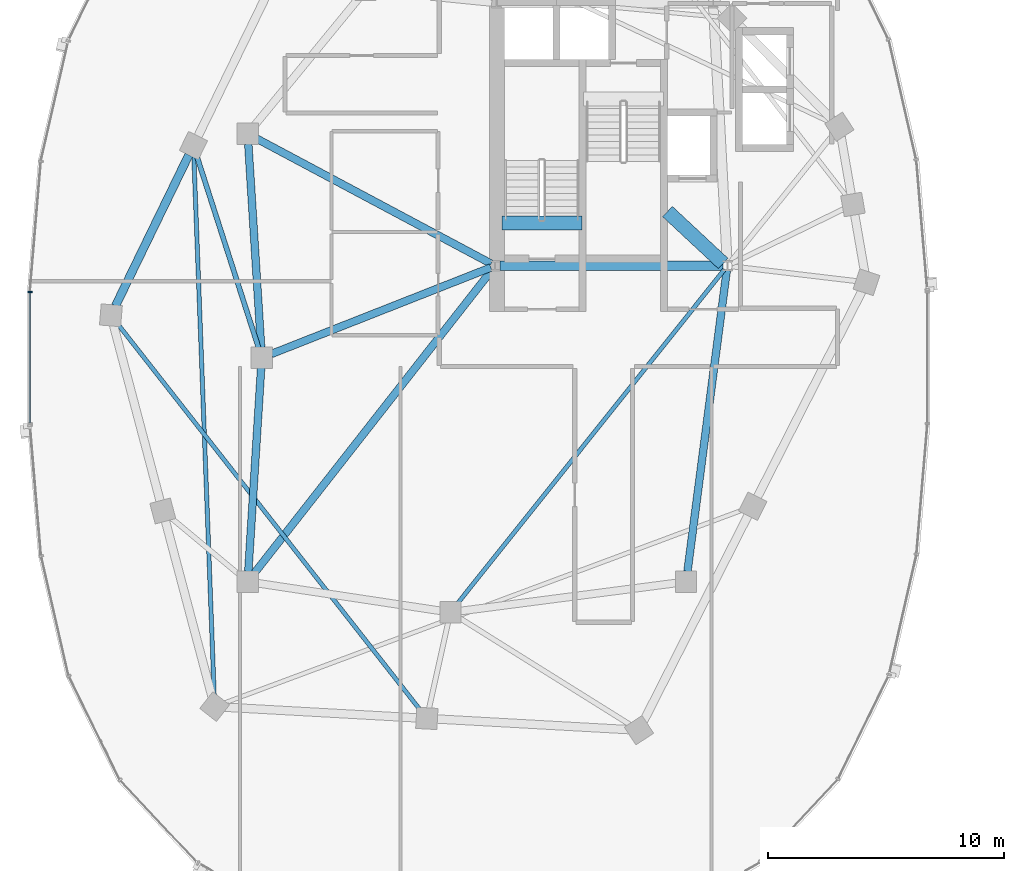
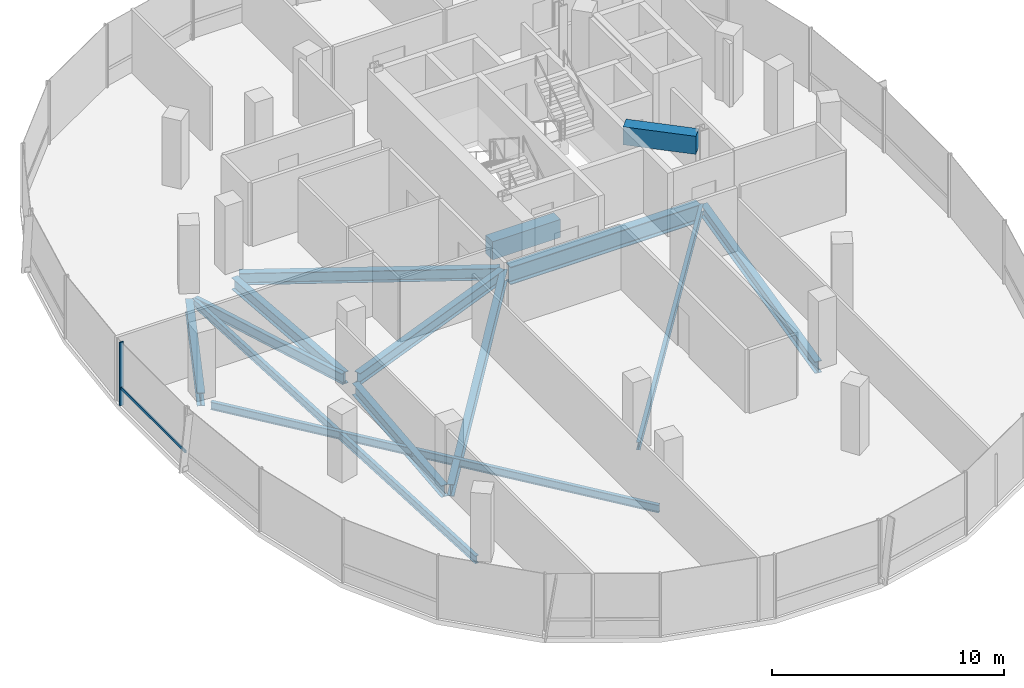
# One storey, part 4 of 25: 14 beams, 2 members, 1 element without a shape of its own.
"""IFC4 building model written with IfcOpenShell, lengths in metres."""

from ifc_helpers import new_model, si_unit, direction, frame, origin, origin_2d, place, context, subcontext, project, spatial, rectangle, i_section, extrude, material, material_profile, profile_set, type_object, element, aggregate, save


model = new_model("IFC4")

# Units and contexts
model_context = context("Model", 3, precision=1e-05, world=origin(), true_north=direction((0.0, 1.0)))
body_context = subcontext(model_context, "Body", "Model", "MODEL_VIEW")
ifc_project = project(units=[si_unit("LENGTHUNIT", "METRE"), si_unit("AREAUNIT", "SQUARE_METRE"), si_unit("VOLUMEUNIT", "CUBIC_METRE"), si_unit("PLANEANGLEUNIT", "RADIAN"), si_unit("MASSUNIT", "GRAM", prefix="KILO"), si_unit("THERMODYNAMICTEMPERATUREUNIT", "KELVIN"), si_unit("POWERUNIT", "WATT")], contexts=[model_context])

# Site, building, storey
site_placement = place(None, origin())
site = spatial("IfcSite", under=ifc_project, at=site_placement, CompositionType="ELEMENT")
building_placement = place(site_placement, origin())
building = spatial("IfcBuilding", under=site, at=building_placement, Name="Cundina Bronze Exchange", CompositionType="ELEMENT")
storey_placement = place(building_placement, frame((0.0, 0.0, 199.0)))
storey = spatial("IfcBuildingStorey", under=building, at=storey_placement, Name="L52", CompositionType="ELEMENT", Elevation=199.0)

# Beams
ifc_material_1 = material(Name="Concrete C60/75", Category="concrete")
ifc_material_profile_1 = material_profile(ifc_material_1, rectangle(XDim=0.60009765625, YDim=0.949951171875, at=origin_2d()), Name="RC600X950", Category="concrete")
ifc_profile_set_1 = profile_set([ifc_material_profile_1], Name="Concrete C60/75")
beam_type_1 = type_object("IfcBeamType", Name="BM-COUP-RC950", PredefinedType="LINTEL", material=ifc_profile_set_1)
beam_1_placement = place(storey_placement, frame((-31.02001953125, 5.719970703125, -0.47509765625), z_axis=(1.0, 0.0, 0.0), x_axis=(0.0, 1.0, 0.0)))
element("IfcBeam", 1, at=beam_1_placement, inside=storey, type_object=beam_type_1, Name="L52 Stair W1 Landing Header Beam", PredefinedType="LINTEL", context=body_context, shape_type="SweptSolid", body=[
    extrude(rectangle(XDim=0.60009765625, YDim=0.949951171875, at=origin_2d()), origin(), (0.0, 0.0, 1.0), 3.39990234375),
])
beam_2_placement = place(storey_placement, frame((-23.989990234375, 6.199951171875, 2.864990234375), z_axis=(0.731490439815, -0.681851696822, 0.0), x_axis=(0.681851696822, 0.731490439815, 0.0)))
element("IfcBeam", 2, at=beam_2_placement, inside=storey, type_object=beam_type_1, Name="L52 W Core Shear Coupling Lintel Beam", PredefinedType="LINTEL", context=body_context, shape_type="SweptSolid", body=[
    extrude(rectangle(XDim=0.60009765625, YDim=0.949951171875, at=origin_2d()), origin(), (0.0, 0.0, 1.0), 3.226318359375),
])
ifc_material_2 = material(Name="Steel ASTM A992 Grade 50", Category="steel")
ifc_material_profile_2 = material_profile(ifc_material_2, i_section(OverallWidth=0.2119140625, OverallDepth=0.5439453125, WebThickness=0.01318359375, FlangeThickness=0.021240234375, FilletRadius=0.013916015625, at=origin_2d()), Name="W21X83", Category="steel")
ifc_profile_set_2 = profile_set([ifc_material_profile_2], Name="Steel ASTM A992 Grade 50")
beam_type_2 = type_object("IfcBeamType", Name="BM-FLR-W21A", PredefinedType="BEAM", material=ifc_profile_set_2)
beam_3_placement = place(storey_placement, frame((-41.334228515625, 0.4169921875, -0.531982421875), z_axis=(-0.306727566953, 0.951797352208, 0.0), x_axis=(-0.951797352208, -0.306727566953, 0.0)))
element("IfcBeam", 3, at=beam_3_placement, inside=storey, type_object=beam_type_2, Name="L52 Leg W Radial Floor Beam 07", PredefinedType="BEAM", context=body_context, shape_type="SweptSolid", body=[
    extrude(i_section(OverallWidth=0.2119140625, OverallDepth=0.5439453125, WebThickness=0.01318359375, FlangeThickness=0.021240234375, FilletRadius=0.013916015625, at=origin_2d()), origin(), (0.0, 0.0, 1.0), 8.57958984375),
])
ifc_material_profile_3 = material_profile(ifc_material_2, i_section(OverallWidth=0.178955078125, OverallDepth=0.409912109375, WebThickness=0.0087890625, FlangeThickness=0.014404296875, FilletRadius=0.010986328125, at=origin_2d()), Name="W16X45", Category="steel")
ifc_profile_set_3 = profile_set([ifc_material_profile_3], Name="Steel ASTM A992 Grade 50")
beam_type_3 = type_object("IfcBeamType", Name="BM-JST-W16", PredefinedType="JOIST", material=ifc_profile_set_3)
beam_4_placement = place(storey_placement, frame((-21.572509765625, 3.746826171875, -0.465087890625), z_axis=(-0.624364266872, -0.781133319129, 0.0), x_axis=(0.781133319129, -0.624364266872, 0.0)))
element("IfcBeam", 4, at=beam_4_placement, inside=storey, type_object=beam_type_3, Name="L52 W Interior Core-to-Ring Joist 2", PredefinedType="JOIST", context=body_context, shape_type="SweptSolid", body=[
    extrude(i_section(OverallWidth=0.178955078125, OverallDepth=0.409912109375, WebThickness=0.0087890625, FlangeThickness=0.014404296875, FilletRadius=0.010986328125, at=origin_2d()), origin(), (0.0, 0.0, 1.0), 18.184814453125),
])
beam_5_placement = place(storey_placement, frame((-44.08349609375, 8.562255859375, -0.465087890625), z_axis=(0.037790216102, -0.999285694667, 0.0), x_axis=(0.999285694667, 0.037790216102, 0.0)))
element("IfcBeam", 5, at=beam_5_placement, inside=storey, type_object=beam_type_3, Name="L52 Leg W Lobe Floor Joist 07-10", PredefinedType="JOIST", context=body_context, shape_type="SweptSolid", body=[
    extrude(i_section(OverallWidth=0.178955078125, OverallDepth=0.409912109375, WebThickness=0.0087890625, FlangeThickness=0.014404296875, FilletRadius=0.010986328125, at=origin_2d()), origin(), (0.0, 0.0, 1.0), 22.94091796875),
])
beam_6_placement = place(storey_placement, frame((-47.329833984375, 1.455078125, -0.465087890625), z_axis=(0.616810493522, -0.787111691618, 0.0), x_axis=(0.787111691618, 0.616810493522, 0.0)))
element("IfcBeam", 6, at=beam_6_placement, inside=storey, type_object=beam_type_3, Name="L52 Leg W Lobe Floor Joist 08-11", PredefinedType="JOIST", context=body_context, shape_type="SweptSolid", body=[
    extrude(i_section(OverallWidth=0.178955078125, OverallDepth=0.409912109375, WebThickness=0.0087890625, FlangeThickness=0.014404296875, FilletRadius=0.010986328125, at=origin_2d()), origin(), (0.0, 0.0, 1.0), 20.8486328125),
])
ifc_material_profile_4 = material_profile(ifc_material_2, i_section(OverallWidth=0.324951171875, OverallDepth=0.615966796875, WebThickness=0.013916015625, FlangeThickness=0.021484375, FilletRadius=0.01611328125, at=origin_2d()), Name="W24X117", Category="steel")
ifc_profile_set_4 = profile_set([ifc_material_profile_4], Name="Steel ASTM A992 Grade 50")
beam_type_4 = type_object("IfcBeamType", Name="BM-RING-W24", PredefinedType="USERDEFINED", material=ifc_profile_set_4)
for number, where, z_axis, x_axis, name in (
    (7, (-41.7724609375, 9.06298828125, -0.568115234375), (0.063046519736, -0.998010589297, 0.0), (0.998010589297, 0.063046519736, 0.0), "L52 W Inner Structural Ring Girder 03"),
    (8, (-41.2275390625, -0.43701171875, -0.568115234375), (-0.063046519736, -0.998010589297, 0.0), (0.998010589297, -0.063046519736, 0.0), "L52 W Inner Structural Ring Girder 04"),
):
    element("IfcBeam", number, at=place(storey_placement, frame(where, z_axis=z_axis, x_axis=x_axis)), inside=storey, type_object=beam_type_4, Name=name, ObjectType="GIRDER", PredefinedType="USERDEFINED", context=body_context, shape_type="SweptSolid", body=[
        extrude(i_section(OverallWidth=0.324951171875, OverallDepth=0.615966796875, WebThickness=0.013916015625, FlangeThickness=0.021484375, FilletRadius=0.01611328125, at=origin_2d()), origin(), (0.0, 0.0, 1.0), 8.64306640625),
    ])
beam_7_placement = place(storey_placement, frame((-23.143310546875, -9.065673828125, -0.568115234375), z_axis=(0.129501251979, 0.991579258424, 0.0), x_axis=(-0.991579258424, 0.129501251979, 0.0)))
element("IfcBeam", 9, at=beam_7_placement, inside=storey, type_object=beam_type_4, Name="L52 W Inner Structural Ring Girder 07", ObjectType="GIRDER", PredefinedType="USERDEFINED", context=body_context, shape_type="SweptSolid", body=[
    extrude(i_section(OverallWidth=0.324951171875, OverallDepth=0.615966796875, WebThickness=0.013916015625, FlangeThickness=0.021484375, FilletRadius=0.01611328125, at=origin_2d()), origin(), (0.0, 0.0, 1.0), 12.8798828125),
])
beam_8_placement = place(storey_placement, frame((-31.482421875, 3.828125, -0.568115234375), z_axis=(-0.930404106569, -0.366535398673, 0.0), x_axis=(0.366535398673, -0.930404106569, 0.0)))
element("IfcBeam", 10, at=beam_8_placement, inside=storey, type_object=beam_type_4, Name="L52 W Core-to-Waist Tie Beam 1", ObjectType="GIRDER", PredefinedType="USERDEFINED", context=body_context, shape_type="SweptSolid", body=[
    extrude(i_section(OverallWidth=0.324951171875, OverallDepth=0.615966796875, WebThickness=0.013916015625, FlangeThickness=0.021484375, FilletRadius=0.01611328125, at=origin_2d()), origin(), (0.0, 0.0, 1.0), 10.00634765625),
])
beam_9_placement = place(storey_placement, frame((-31.472900390625, 3.9921875, -0.568115234375), z_axis=(-0.882350541683, 0.470592734317, 0.0), x_axis=(-0.470592734317, -0.882350541683, 0.0)))
element("IfcBeam", 11, at=beam_9_placement, inside=storey, type_object=beam_type_4, Name="L52 W Core-to-Waist Tie Beam 2", ObjectType="GIRDER", PredefinedType="USERDEFINED", context=body_context, shape_type="SweptSolid", body=[
    extrude(i_section(OverallWidth=0.324951171875, OverallDepth=0.615966796875, WebThickness=0.013916015625, FlangeThickness=0.021484375, FilletRadius=0.01611328125, at=origin_2d()), origin(), (0.0, 0.0, 1.0), 11.26611328125),
])
beam_10_placement = place(storey_placement, frame((-31.4208984375, 3.74560546875, -0.568115234375), z_axis=(-0.616782900053, -0.787133314123, 0.0), x_axis=(0.787133314123, -0.616782900053, 0.0)))
element("IfcBeam", 12, at=beam_10_placement, inside=storey, type_object=beam_type_4, Name="L52 W Core-to-Waist Tie Beam 3", ObjectType="GIRDER", PredefinedType="USERDEFINED", context=body_context, shape_type="SweptSolid", body=[
    extrude(i_section(OverallWidth=0.324951171875, OverallDepth=0.615966796875, WebThickness=0.013916015625, FlangeThickness=0.021484375, FilletRadius=0.01611328125, at=origin_2d()), origin(), (0.0, 0.0, 1.0), 16.3896484375),
])
ifc_material_profile_5 = material_profile(ifc_material_2, i_section(OverallWidth=0.35498046875, OverallDepth=0.695068359375, WebThickness=0.015380859375, FlangeThickness=0.02490234375, FilletRadius=0.01806640625, at=origin_2d()), Name="W27X146", Category="steel")
ifc_profile_set_5 = profile_set([ifc_material_profile_5], Name="Steel ASTM A992 Grade 50")
beam_type_5 = type_object("IfcBeamType", Name="BM-RING-W27", PredefinedType="USERDEFINED", material=ifc_profile_set_5)
beam_11_placement = place(storey_placement, frame((-44.29150390625, 8.606201171875, -0.607421875), z_axis=(-0.437173087764, -0.89937739094, 0.0), x_axis=(0.89937739094, -0.437173087764, 0.0)))
element("IfcBeam", 13, at=beam_11_placement, inside=storey, type_object=beam_type_5, Name="L52 W Perimeter Ring Girder 07", ObjectType="GIRDER", PredefinedType="USERDEFINED", context=body_context, shape_type="SweptSolid", body=[
    extrude(i_section(OverallWidth=0.35498046875, OverallDepth=0.695068359375, WebThickness=0.015380859375, FlangeThickness=0.02490234375, FilletRadius=0.01806640625, at=origin_2d()), origin(), (0.0, 0.0, 1.0), 7.1298828125),
])
ifc_material_profile_6 = material_profile(ifc_material_2, i_section(OverallWidth=0.41796875, OverallDepth=0.927001953125, WebThickness=0.019287109375, FlangeThickness=0.031982421875, FilletRadius=0.02392578125, at=origin_2d()), Name="W36X231", Category="steel")
ifc_profile_set_6 = profile_set([ifc_material_profile_6], Name="Steel ASTM A992 Grade 50")
beam_type_6 = type_object("IfcBeamType", Name="BM-WRN-W36B", PredefinedType="USERDEFINED", material=ifc_profile_set_6)
beam_12_placement = place(storey_placement, frame((-31.10400390625, 3.89990234375, -0.723388671875), z_axis=(1.0, 0.0, 0.0), x_axis=(0.0, 1.0, 0.0)))
element("IfcBeam", 14, at=beam_12_placement, inside=storey, type_object=beam_type_6, Name="L52 W Core Perimeter Tie Girder 1", ObjectType="GIRDER", PredefinedType="USERDEFINED", context=body_context, shape_type="SweptSolid", body=[
    extrude(i_section(OverallWidth=0.41796875, OverallDepth=0.927001953125, WebThickness=0.019287109375, FlangeThickness=0.031982421875, FilletRadius=0.02392578125, at=origin_2d()), origin(), (0.0, 0.0, 1.0), 9.4580078125),
])

# Curtain wall, members
ifc_material_3 = material(Name="Anodised Bronze Aluminium 6063-T6", Category="aluminium")
curtain_wall_type = type_object("IfcCurtainWallType", Name="CWS-UPP-OFF", PredefinedType="NOTDEFINED", material=ifc_material_3)
curtain_wall_placement = place(storey_placement, origin())
curtain_wall = element("IfcCurtainWall", 15, at=curtain_wall_placement, inside=storey, type_object=curtain_wall_type, Name="L52 CW-05 Curtain Wall Run CWR-L52-W2", PredefinedType="NOTDEFINED")
ifc_material_profile_7 = material_profile(ifc_material_3, rectangle(XDim=0.070068359375, YDim=0.18994140625, at=origin_2d()), Name="AL70X190", Category="aluminium")
ifc_profile_set_7 = profile_set([ifc_material_profile_7], Name="Anodised Bronze Aluminium 6063-T6")
member_type_1 = type_object("IfcMemberType", Name="CWM-MUL-190", PredefinedType="MULLION", material=ifc_profile_set_7)
member_1_placement = place(storey_placement, frame((-51.033935546875, 2.794921875, 0.0), z_axis=(0.0, 0.0, 1.0), x_axis=(0.0, -1.0, 0.0)))
member_1 = element("IfcMember", 16, at=member_1_placement, type_object=member_type_1, Name="CW-05 Mullion 7", PredefinedType="MULLION", context=body_context, shape_type="SweptSolid", body=[
    extrude(rectangle(XDim=0.070068359375, YDim=0.18994140625, at=origin_2d()), origin(), (0.0, 0.0, 1.0), 3.340087890625),
])
ifc_material_profile_8 = material_profile(ifc_material_3, rectangle(XDim=0.06494140625, YDim=0.14990234375, at=origin_2d()), Name="AL65X150", Category="aluminium")
ifc_profile_set_8 = profile_set([ifc_material_profile_8], Name="Anodised Bronze Aluminium 6063-T6")
member_type_2 = type_object("IfcMemberType", Name="CWM-TRN-150", PredefinedType="USERDEFINED", material=ifc_profile_set_8)
member_2_placement = place(storey_placement, frame((-51.033935546875, 2.756591796875, 0.919921875), z_axis=(0.0, -1.0, 0.0), x_axis=(1.0, 0.0, 0.0)))
member_2 = element("IfcMember", 17, at=member_2_placement, type_object=member_type_2, Name="CW-05 Spandrel Transom 7", ObjectType="TRANSOM", PredefinedType="USERDEFINED", context=body_context, shape_type="SweptSolid", body=[
    extrude(rectangle(XDim=0.06494140625, YDim=0.14990234375, at=origin_2d()), origin(), (0.0, 0.0, 1.0), 5.51318359375),
])
aggregate(curtain_wall, [member_1, member_2])

save(model, "model.ifc")
